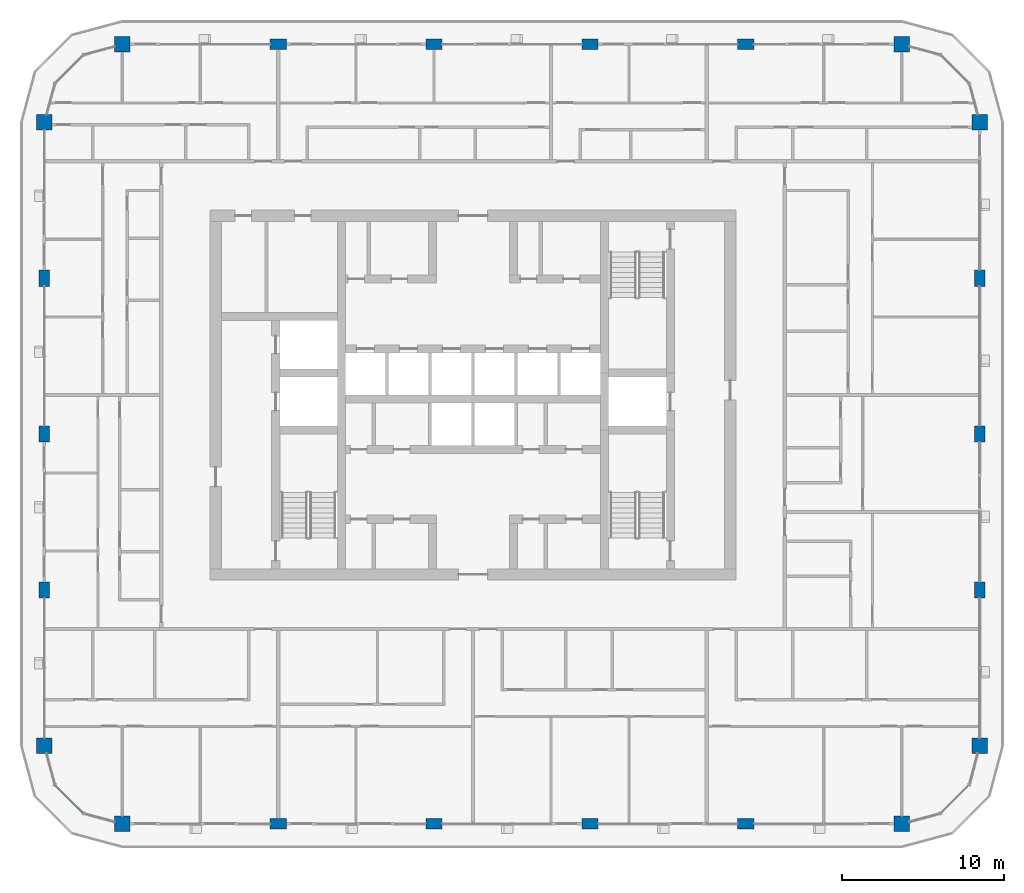
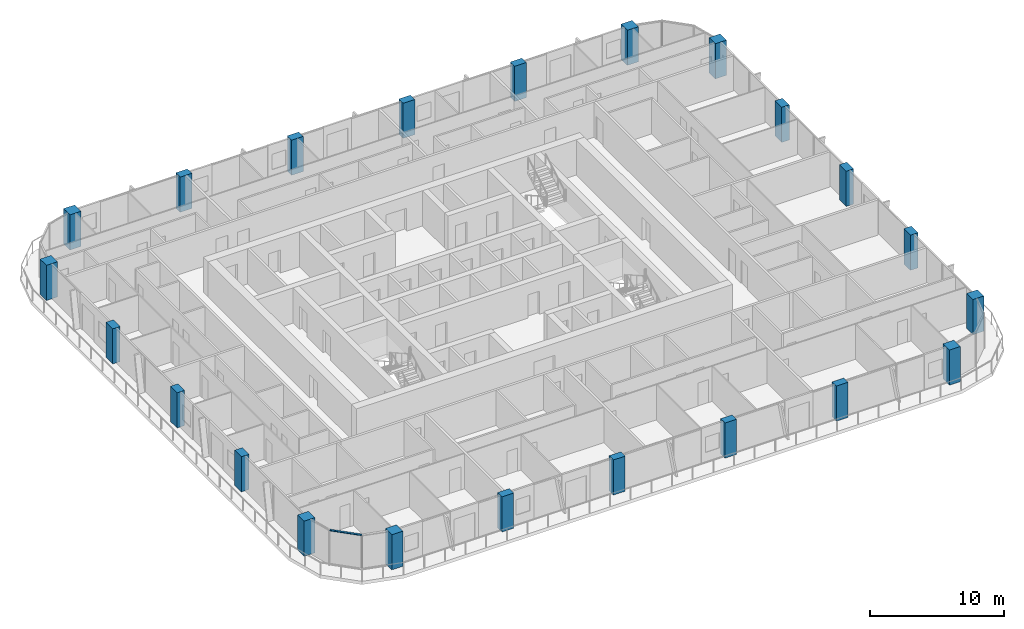
# One storey, part 1 of 22: 22 columns, 1 member, 1 element without a shape of its own.
"""IFC4 building model written with IfcOpenShell, lengths in metres."""

from ifc_helpers import new_model, si_unit, direction, frame, origin, origin_2d, place, context, subcontext, project, spatial, rectangle, extrude, material, layer, layer_set, material_profile, profile_set, type_object, element, aggregate, save


model = new_model("IFC4")

# Units and contexts
model_context = context("Model", 3, precision=1e-05, world=origin(), true_north=direction((0.0, 1.0)))
body_context = subcontext(model_context, "Body", "Model", "MODEL_VIEW")
ifc_project = project(units=[si_unit("LENGTHUNIT", "METRE"), si_unit("AREAUNIT", "SQUARE_METRE"), si_unit("VOLUMEUNIT", "CUBIC_METRE"), si_unit("PLANEANGLEUNIT", "RADIAN"), si_unit("MASSUNIT", "GRAM", prefix="KILO")], contexts=[model_context])

# Site, building, storey
site_placement = place(None, origin())
site = spatial("IfcSite", under=ifc_project, at=site_placement, CompositionType="ELEMENT")
building_placement = place(site_placement, origin())
building = spatial("IfcBuilding", under=site, at=building_placement, Name="Madar Terraces", CompositionType="ELEMENT")
storey_placement = place(building_placement, frame((0.0, 0.0, 189.39990234375)))
storey = spatial("IfcBuildingStorey", under=building, at=storey_placement, Name="L49", CompositionType="ELEMENT", Elevation=189.39990234375)

# Columns
ifc_material_1 = material(Name="Concrete C60/75", Category="concrete")
ifc_material_profile_1 = material_profile(ifc_material_1, rectangle(XDim=1.0, YDim=0.64990234375, at=origin_2d()), Name="CC4 RC 1000x650")
ifc_profile_set_1 = profile_set([ifc_material_profile_1], Name="Concrete C60/75")
column_type_1 = type_object("IfcColumnType", Name="CC4 RC 1000x650", PredefinedType="COLUMN", material=ifc_profile_set_1)
for number, where, z_axis, x_axis, name in (
    (1, (19.199951171875, 0.0, 0.0), (0.0, 0.0, 1.0), (1.0, 0.0, 0.0), "Perimeter column S2"),
    (2, (28.800048828125, 0.0, 0.0), (0.0, 0.0, 1.0), (1.0, 0.0, 0.0), "Perimeter column S3"),
    (3, (38.39990234375, 0.0, 0.0), (0.0, 0.0, 1.0), (1.0, 0.0, 0.0), "Perimeter column S4"),
    (4, (48.0, 0.0, 0.0), (0.0, 0.0, 1.0), (1.0, 0.0, 0.0), "Perimeter column S5"),
    (5, (62.39990234375, 14.39990234375, 0.0), (0.0, 0.0, 1.0), (0.0, 1.0, 0.0), "Perimeter column E2"),
    (6, (62.39990234375, 24.0, 0.0), (0.0, 0.0, 1.0), (0.0, 1.0, 0.0), "Perimeter column E3"),
    (7, (62.39990234375, 33.60009765625, 0.0), (0.0, 0.0, 1.0), (0.0, 1.0, 0.0), "Perimeter column E4"),
    (8, (48.0, 48.0, 0.0), (0.0, 0.0, 1.0), (1.0, 0.0, 0.0), "Perimeter column N2"),
    (9, (38.39990234375, 48.0, 0.0), (0.0, 0.0, 1.0), (1.0, 0.0, 0.0), "Perimeter column N3"),
    (10, (28.800048828125, 48.0, 0.0), (0.0, 0.0, 1.0), (1.0, 0.0, 0.0), "Perimeter column N4"),
    (11, (19.199951171875, 48.0, 0.0), (0.0, 0.0, 1.0), (1.0, 0.0, 0.0), "Perimeter column N5"),
    (12, (4.800048828125, 33.60009765625, 0.0), (0.0, 0.0, 1.0), (0.0, 1.0, 0.0), "Perimeter column W2"),
    (13, (4.800048828125, 24.0, 0.0), (0.0, 0.0, 1.0), (0.0, 1.0, 0.0), "Perimeter column W3"),
    (14, (4.800048828125, 14.39990234375, 0.0), (0.0, 0.0, 1.0), (0.0, 1.0, 0.0), "Perimeter column W4"),
):
    element("IfcColumn", number, at=place(storey_placement, frame(where, z_axis=z_axis, x_axis=x_axis)), inside=storey, type_object=column_type_1, Name=name, PredefinedType="COLUMN", context=body_context, shape_type="SweptSolid", body=[
        extrude(rectangle(XDim=1.0, YDim=0.64990234375, at=origin_2d()), origin(), (0.0, 0.0, 1.0), 3.2001953125),
    ])
ifc_material_2 = material(Name="Concrete C60/75", Category="concrete")
ifc_material_profile_2 = material_profile(ifc_material_2, rectangle(XDim=0.949951171875, YDim=0.949951171875, at=origin_2d()), Name="KC4 RC 950x950")
ifc_profile_set_2 = profile_set([ifc_material_profile_2], Name="Concrete C60/75")
column_type_2 = type_object("IfcColumnType", Name="KC4 RC 950x950", PredefinedType="COLUMN", material=ifc_profile_set_2)
for number, where, z_axis, x_axis, name in (
    (15, (9.60009765625, 0.0, 0.0), (0.0, 0.0, 1.0), (1.0, 0.0, 0.0), "Perimeter column S1"),
    (16, (57.60009765625, 0.0, 0.0), (0.0, 0.0, 1.0), (1.0, 0.0, 0.0), "Perimeter column S6"),
    (17, (62.39990234375, 4.800048828125, 0.0), (0.0, 0.0, 1.0), (1.0, 0.0, 0.0), "Perimeter column E1"),
    (18, (62.39990234375, 43.199951171875, 0.0), (0.0, 0.0, 1.0), (1.0, 0.0, 0.0), "Perimeter column E5"),
    (19, (57.60009765625, 48.0, 0.0), (0.0, 0.0, 1.0), (1.0, 0.0, 0.0), "Perimeter column N1"),
    (20, (9.60009765625, 48.0, 0.0), (0.0, 0.0, 1.0), (1.0, 0.0, 0.0), "Perimeter column N6"),
    (21, (4.800048828125, 43.199951171875, 0.0), (0.0, 0.0, 1.0), (1.0, 0.0, 0.0), "Perimeter column W1"),
    (22, (4.800048828125, 4.800048828125, 0.0), (0.0, 0.0, 1.0), (1.0, 0.0, 0.0), "Perimeter column W5"),
):
    element("IfcColumn", number, at=place(storey_placement, frame(where, z_axis=z_axis, x_axis=x_axis)), inside=storey, type_object=column_type_2, Name=name, PredefinedType="COLUMN", context=body_context, shape_type="SweptSolid", body=[
        extrude(rectangle(XDim=0.949951171875, YDim=0.949951171875, at=origin_2d()), origin(), (0.0, 0.0, 1.0), 3.2001953125),
    ])

# Curtain wall, member
ifc_material_3 = material(Name="Glass, ceramic frit dark grey, with black aluminium frame", Category="aluminium")
ifc_layer = layer(ifc_material_3, 0.199951171875)
ifc_layer_set = layer_set([ifc_layer], Name="Facade curtain wall, fritted glass")
curtain_wall_type = type_object("IfcCurtainWallType", Name="Facade curtain wall, fritted glass", PredefinedType="NOTDEFINED", material=ifc_layer_set)
curtain_wall_placement = place(storey_placement, origin())
curtain_wall = element("IfcCurtainWall", 23, at=curtain_wall_placement, inside=storey, type_object=curtain_wall_type, Name="Outer skin curtain wall south-west corner", PredefinedType="NOTDEFINED")
ifc_material_4 = material(Name="Aluminium, black anodised", Category="aluminium")
ifc_material_profile_3 = material_profile(ifc_material_4, rectangle(XDim=0.1201171875, YDim=0.06005859375, at=origin_2d()), Name="Facade transom 60x120")
ifc_profile_set_3 = profile_set([ifc_material_profile_3], Name="Aluminium, black anodised")
member_type = type_object("IfcMemberType", Name="Facade transom 60x120", PredefinedType="USERDEFINED", material=ifc_profile_set_3)
member_placement = place(storey_placement, frame((5.46435546875, 2.37890625, 3.170166015625), z_axis=(0.707056433593, -0.707157125196, 0.0), x_axis=(0.707157125196, 0.707056433593, 0.0)))
member = element("IfcMember", 24, at=member_placement, type_object=member_type, Name="Transom 2", ObjectType="TRANSOM", PredefinedType="USERDEFINED", context=body_context, shape_type="SweptSolid", body=[
    extrude(rectangle(XDim=0.1201171875, YDim=0.06005859375, at=origin_2d()), origin(), (0.0, 0.0, 1.0), 2.424560546875),
])
aggregate(curtain_wall, [member])

save(model, "model.ifc")
